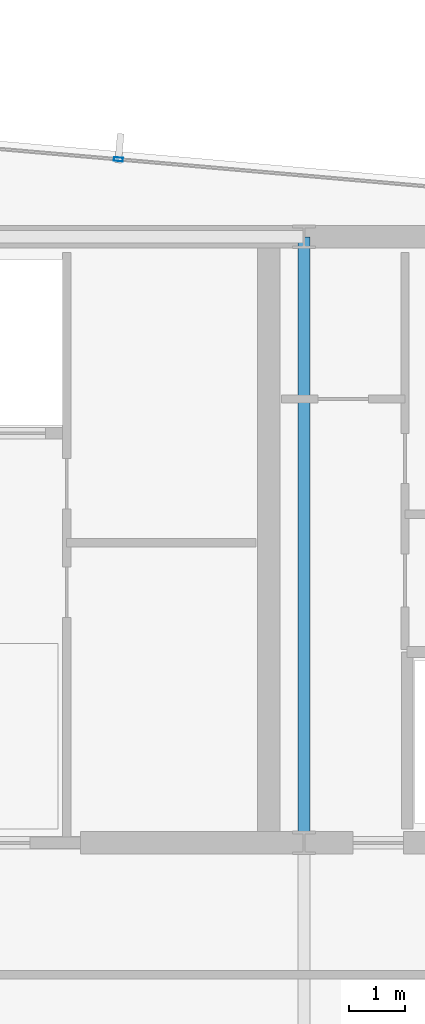
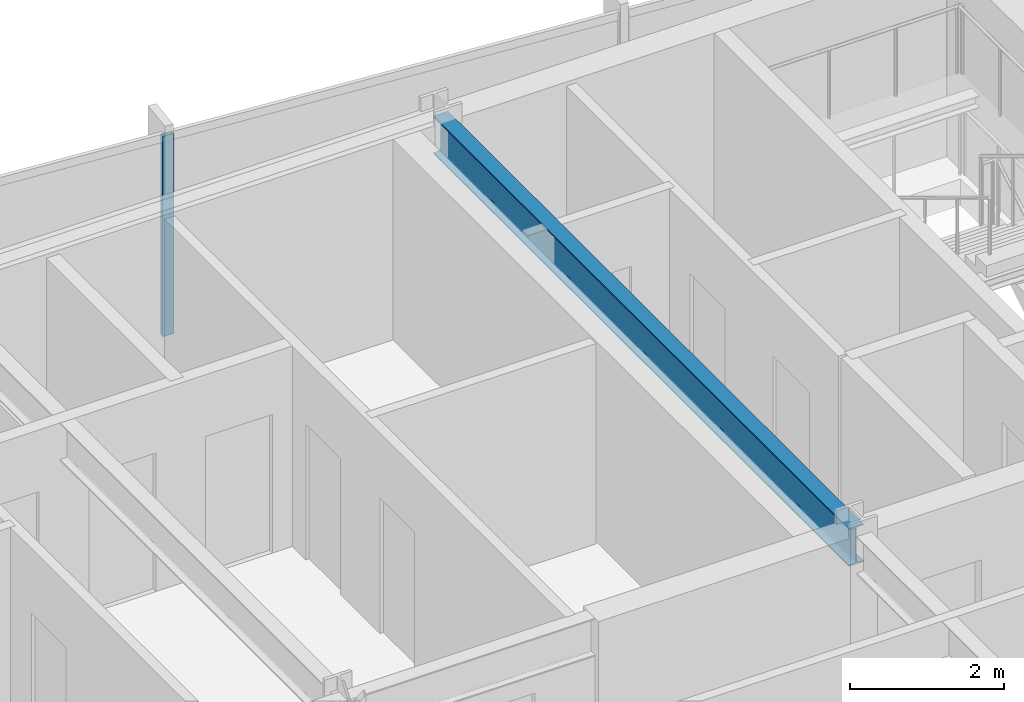
# One storey, part 19 of 32: 1 beam, 1 member, 1 element without a shape of its own.
"""IFC4 building model written with IfcOpenShell, lengths in metres."""

from ifc_helpers import new_model, si_unit, direction, frame, origin, origin_2d, place, context, subcontext, project, spatial, hollow_rectangle, i_section, extrude, material, material_profile, profile_set, type_object, element, aggregate, save


model = new_model("IFC4")

# Units and contexts
model_context = context("Model", 3, precision=1e-05, world=origin(), true_north=direction((0.0, 1.0)))
body_context = subcontext(model_context, "Body", "Model", "MODEL_VIEW")
ifc_project = project(units=[si_unit("LENGTHUNIT", "METRE"), si_unit("AREAUNIT", "SQUARE_METRE"), si_unit("VOLUMEUNIT", "CUBIC_METRE"), si_unit("PLANEANGLEUNIT", "RADIAN"), si_unit("MASSUNIT", "GRAM", prefix="KILO")], contexts=[model_context])

# Site, building, storey
site_placement = place(None, origin())
site = spatial("IfcSite", under=ifc_project, at=site_placement, CompositionType="ELEMENT")
building_placement = place(site_placement, origin())
building = spatial("IfcBuilding", under=site, at=building_placement, Name="Yelkora Congress Tower", CompositionType="ELEMENT")
storey_placement = place(building_placement, frame((0.0, 0.0, 259.10009765625)))
storey = spatial("IfcBuildingStorey", under=building, at=storey_placement, Name="L72", CompositionType="ELEMENT", Elevation=259.10009765625)

# Beam
ifc_material_1 = material(Name="Steel S355J2", Category="steel")
ifc_material_profile_1 = material_profile(ifc_material_1, i_section(OverallWidth=0.219970703125, OverallDepth=0.60009765625, WebThickness=0.011962890625, FlangeThickness=0.01904296875, FilletRadius=0.02392578125, at=origin_2d()), Name="IPE 600")
ifc_profile_set_1 = profile_set([ifc_material_profile_1], Name="Steel S355J2")
beam_type = type_object("IfcBeamType", Name="BM-GIRD-IPE600", PredefinedType="BEAM", material=ifc_profile_set_1)
beam_placement = place(storey_placement, frame((46.080078125, 35.39990234375, 2.8798828125), z_axis=(0.0, 1.0, 0.0), x_axis=(-1.0, 0.0, 0.0)))
element("IfcBeam", 1, at=beam_placement, inside=storey, type_object=beam_type, Name="L72 Core Tie Girder MC-S4", PredefinedType="BEAM", context=body_context, shape_type="SweptSolid", body=[
    extrude(i_section(OverallWidth=0.219970703125, OverallDepth=0.60009765625, WebThickness=0.011962890625, FlangeThickness=0.01904296875, FilletRadius=0.02392578125, at=origin_2d()), origin(), (0.0, 0.0, 1.0), 10.800048828125),
])

# Curtain wall, member
ifc_material_2 = material(Name="Anodised aluminium and insulated glass", Category="aluminium")
curtain_wall_type = type_object("IfcCurtainWallType", Name="CW-SYS-B5", PredefinedType="NOTDEFINED", material=ifc_material_2)
curtain_wall_placement = place(storey_placement, origin())
curtain_wall = element("IfcCurtainWall", 2, at=curtain_wall_placement, inside=storey, type_object=curtain_wall_type, Name="L72 Unitised Curtain Wall 10", PredefinedType="NOTDEFINED")
ifc_material_3 = material(Name="Anodised aluminium 6063-T6", Category="aluminium")
ifc_material_profile_2 = material_profile(ifc_material_3, hollow_rectangle(XDim=0.06494140625, YDim=0.159912109375, WallThickness=0.00390625, at=origin_2d()), Name="ALU 65x160x4")
ifc_profile_set_2 = profile_set([ifc_material_profile_2], Name="Anodised aluminium 6063-T6")
member_type = type_object("IfcMemberType", Name="MEM-ML-B5", PredefinedType="MULLION", material=ifc_profile_set_2)
member_placement = place(storey_placement, frame((42.77294921875, 47.58154296875, 0.0), z_axis=(0.0, 0.0, 1.0), x_axis=(0.087156639893, 0.996194619601, 0.0)))
member = element("IfcMember", 3, at=member_placement, type_object=member_type, Name="CW-B5 mullion 6", PredefinedType="MULLION", context=body_context, shape_type="SweptSolid", body=[
    extrude(hollow_rectangle(XDim=0.06494140625, YDim=0.159912109375, WallThickness=0.00390625, at=origin_2d()), origin(), (0.0, 0.0, 1.0), 3.179931640625),
])
aggregate(curtain_wall, [member])

save(model, "model.ifc")
